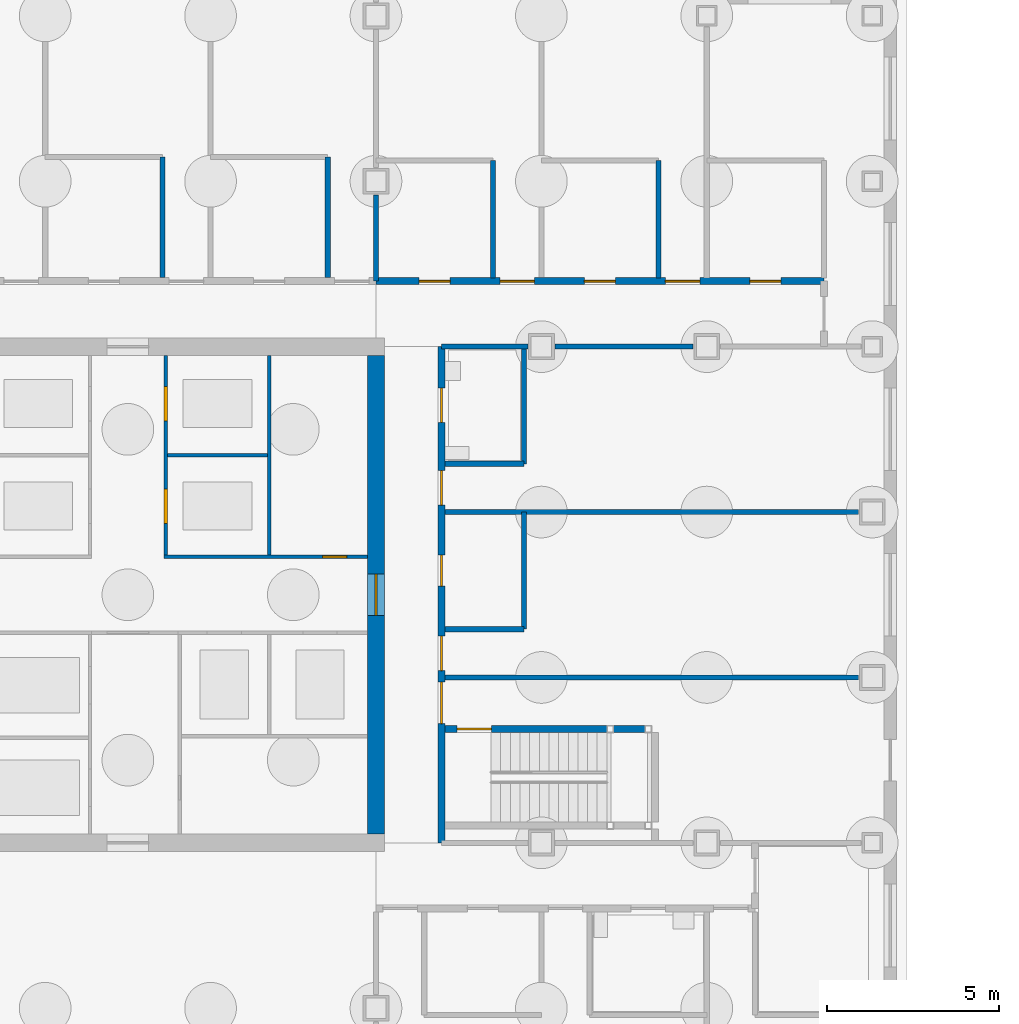
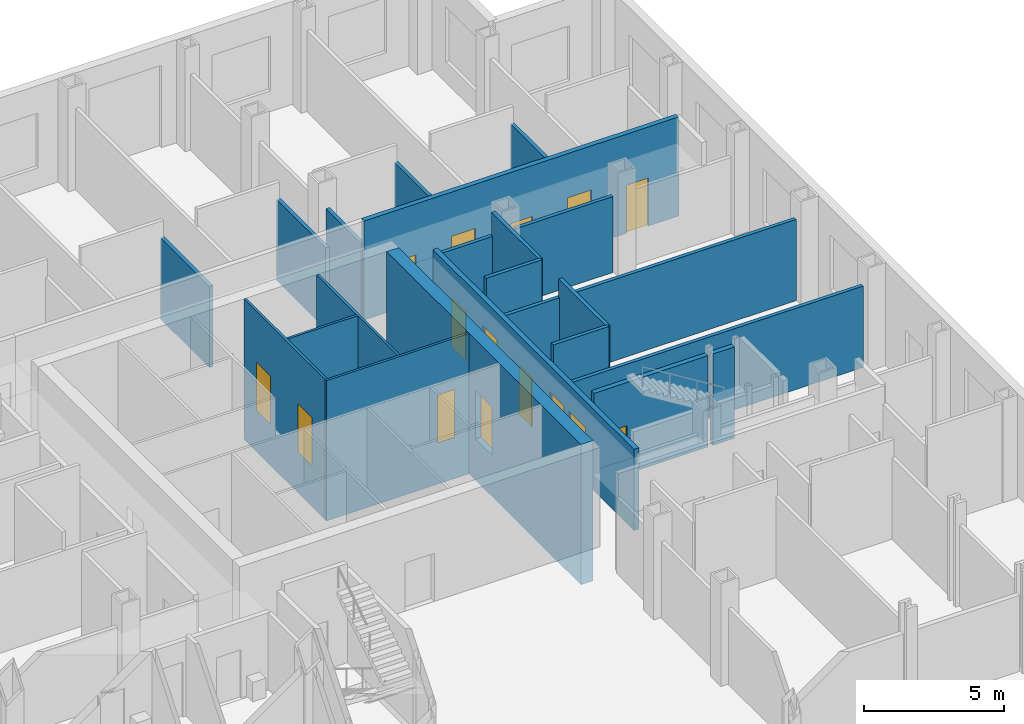
# One storey, part 17 of 22: 22 walls, 15 doors, 15 openings.
"""IFC4 building model written with IfcOpenShell, lengths in metres."""

import ifcopenshell
import ifcopenshell.guid

model = None  # the IFC model being written
_history = None  # IfcOwnerHistory: only IFC2X3 demands one
_inside = {}  # id of a spatial element -> (the spatial element, [elements in it])
_under = {}  # id of a project, library or spatial element -> (it, [spatial elements below it])
_declared = {}  # id of a project -> (the project, [libraries it declares])
_typed = {}  # id of a type object -> (the type object, [elements of that type])
_made_of = {}  # id of a material, layer set ... -> (it, [elements and type objects made of it])


def new_model(schema):
    """Start an empty IFC model of exactly this schema.

    Asked for "IFC4X3", IfcOpenShell would pick the latest addendum, in which some entities
    have other attributes; the version numbers below select the first issue.
    IFC2X3 requires an IfcOwnerHistory on every rooted entity: one is made here for all.
    """
    global model, _history
    if schema == "IFC4X3":
        model = ifcopenshell.file(schema_version=(4, 3, 0, 0))
    else:
        model = ifcopenshell.file(schema=schema)
    _inside.clear()
    _under.clear()
    _declared.clear()
    _typed.clear()
    _made_of.clear()
    _history = None
    if model.schema == "IFC2X3":
        org = make("IfcOrganization", Name="unknown")
        user = make(
            "IfcPersonAndOrganization",
            ThePerson=make("IfcPerson", FamilyName="unknown"),
            TheOrganization=org,
        )
        app = make(
            "IfcApplication",
            ApplicationDeveloper=org,
            Version="unknown",
            ApplicationFullName="unknown",
            ApplicationIdentifier="unknown",
        )
        _history = make(
            "IfcOwnerHistory",
            OwningUser=user,
            OwningApplication=app,
            ChangeAction="ADDED",
            CreationDate=0,
        )
    return model


def make(cls, **values):
    """One entity of the class cls with the attributes given. An attribute that is None is left unset."""
    return model.create_entity(
        cls, **{name: value for name, value in values.items() if value is not None}
    )


def rooted(cls, **values):
    """An entity with a GlobalId (a new one), such as an element, a storey or a relation."""
    return make(cls, GlobalId=ifcopenshell.guid.new(), OwnerHistory=_history, **values)


def si_unit(unit_type, name, prefix=None):
    """IfcSIUnit, for example si_unit("LENGTHUNIT", "METRE", prefix="MILLI")."""
    return make("IfcSIUnit", UnitType=unit_type, Prefix=prefix, Name=name)


def assignment(units):
    """IfcUnitAssignment: the units of a project."""
    return None if units is None else make("IfcUnitAssignment", Units=units)


def point(xyz):
    """IfcCartesianPoint."""
    return None if xyz is None else make("IfcCartesianPoint", Coordinates=xyz)


def direction(xyz):
    """IfcDirection."""
    return None if xyz is None else make("IfcDirection", DirectionRatios=xyz)


def frame(location, z_axis=None, x_axis=None):
    """IfcAxis2Placement3D, a coordinate frame: its origin and axes. An axis left out is left unset."""
    return make(
        "IfcAxis2Placement3D",
        Location=point(location),
        Axis=direction(z_axis),
        RefDirection=direction(x_axis),
    )


def frame_2d(location, x_axis=None):
    """IfcAxis2Placement2D, a coordinate frame in the plane: its origin and x axis."""
    return make(
        "IfcAxis2Placement2D", Location=point(location), RefDirection=direction(x_axis)
    )


def origin():
    """The frame at (0, 0, 0) with its axes left unset."""
    return frame((0.0, 0.0, 0.0))


def place(relative_to, where):
    """IfcLocalPlacement: puts the frame where relative to a parent placement (None: the world)."""
    return make(
        "IfcLocalPlacement", PlacementRelTo=relative_to, RelativePlacement=where
    )


def context(
    kind, dimensions, precision=None, world=None, true_north=None, identifier=None
):
    """IfcGeometricRepresentationContext, for example the 3D "Model" context."""
    return make(
        "IfcGeometricRepresentationContext",
        ContextIdentifier=identifier,
        ContextType=kind,
        CoordinateSpaceDimension=dimensions,
        Precision=precision,
        WorldCoordinateSystem=world,
        TrueNorth=true_north,
    )


def subcontext(parent, identifier, kind, view, scale=None):
    """IfcGeometricRepresentationSubContext, for example "Body" below "Model"."""
    return make(
        "IfcGeometricRepresentationSubContext",
        ContextIdentifier=identifier,
        ContextType=kind,
        ParentContext=parent,
        TargetScale=scale,
        TargetView=view,
    )


def project(units=None, contexts=None):
    """IfcProject with its units and contexts."""
    return rooted(
        "IfcProject",
        Name="project",
        RepresentationContexts=contexts,
        UnitsInContext=assignment(units),
    )


def spatial(cls, under=None, at=None, **own):
    """A site, building, storey or space (cls), placed at a placement, below another one or the project."""
    s = rooted(cls, ObjectPlacement=at, **own)
    if under is not None:
        _under.setdefault(under.id(), (under, []))[1].append(s)
    return s


def profile(cls, at=None, kind="AREA", **sizes):
    """A parametric profile (cls). Its sizes go by their IFC names, for example OverallWidth=200.0."""
    return make(cls, ProfileType=kind, Position=at, **sizes)


def rectangle(**sizes):
    """IfcRectangleProfileDef."""
    return profile("IfcRectangleProfileDef", **sizes)


def extrude(swept, where, along, depth):
    """IfcExtrudedAreaSolid: the profile swept, set in the frame where, extruded along a direction by depth."""
    return make(
        "IfcExtrudedAreaSolid",
        SweptArea=swept,
        Position=where,
        ExtrudedDirection=direction(along),
        Depth=depth,
    )


def shape(context_of_items, identifier, shape_type, items):
    """IfcShapeRepresentation: the items that make up one representation, for example the "Body"."""
    return make(
        "IfcShapeRepresentation",
        ContextOfItems=context_of_items,
        RepresentationIdentifier=identifier,
        RepresentationType=shape_type,
        Items=items,
    )


def material(Name=None, Category=None):
    """IfcMaterial."""
    return make("IfcMaterial", Name=Name, Category=Category)


def layer(
    of_material, thickness, ventilated=None, Name=None, Category=None, Priority=None
):
    """IfcMaterialLayer: one layer of a wall or slab, of a material (None: an air gap)."""
    return make(
        "IfcMaterialLayer",
        Material=of_material,
        LayerThickness=thickness,
        IsVentilated=ventilated,
        Name=Name,
        Category=Category,
        Priority=Priority,
    )


def layer_set(layers, Name=None):
    """IfcMaterialLayerSet."""
    return make("IfcMaterialLayerSet", MaterialLayers=layers, LayerSetName=Name)


def made_of(thing, what):
    """Note that an element or type object is made of a material, layer set ...; save() writes the relation."""
    if what is not None:
        _made_of.setdefault(what.id(), (what, []))[1].append(thing)
    return thing


def type_object(cls, material=None, **own):
    """A type object (cls), such as IfcWallType, which elements share."""
    return made_of(rooted(cls, **own), material)


def element(
    cls,
    number,
    at=None,
    inside=None,
    cuts=None,
    type_object=None,
    material=None,
    context=None,
    identifier="Body",
    shape_type=None,
    held_by="IfcProductDefinitionShape",
    body=None,
    shapes=None,
    **own,
):
    """One element of the class cls, such as IfcWall. Its Tag is "e" and its number.

    at: its placement. inside: the storey or other place that contains it. cuts: it is an
    opening in that element (IfcRelVoidsElement). A single representation is given by context,
    identifier, shape_type and body (its items); several are given by shapes. held_by: the class
    of the entity that holds the representations. save() writes the other relations.
    """
    e = rooted(cls, Tag="e%d" % number, ObjectPlacement=at, **own)
    if body is not None:
        shapes = [shape(context, identifier, shape_type, body)]
    if shapes is not None:
        e.Representation = make(held_by, Representations=shapes)
    if inside is not None:
        _inside.setdefault(inside.id(), (inside, []))[1].append(e)
    if cuts is not None:
        rooted(
            "IfcRelVoidsElement", RelatingBuildingElement=cuts, RelatedOpeningElement=e
        )
    if type_object is not None:
        _typed.setdefault(type_object.id(), (type_object, []))[1].append(e)
    return made_of(e, material)


def fill(opening, filler):
    """IfcRelFillsElement: the door or window that sits in an opening."""
    return rooted(
        "IfcRelFillsElement",
        RelatingOpeningElement=opening,
        RelatedBuildingElement=filler,
    )


def aggregate(whole, parts):
    """IfcRelAggregates: a whole, such as a stair, and the parts it consists of."""
    return rooted("IfcRelAggregates", RelatingObject=whole, RelatedObjects=parts)


def save(model, path):
    """Write the relations noted so far, then the file.

    IfcRelAggregates (storeys below a building ...), IfcRelContainedInSpatialStructure (elements
    in a storey), IfcRelDefinesByType, IfcRelAssociatesMaterial and IfcRelDeclares: one each for
    every whole, place, type object, material and project.
    """
    for whole, parts in _under.values():
        aggregate(whole, parts)
    for where, things in _inside.values():
        rooted(
            "IfcRelContainedInSpatialStructure",
            RelatedElements=things,
            RelatingStructure=where,
        )
    for kind, things in _typed.values():
        rooted("IfcRelDefinesByType", RelatedObjects=things, RelatingType=kind)
    for what, things in _made_of.values():
        rooted("IfcRelAssociatesMaterial", RelatedObjects=things, RelatingMaterial=what)
    for by, libraries in _declared.values():
        rooted("IfcRelDeclares", RelatingContext=by, RelatedDefinitions=libraries)
    model.write(path)


model = new_model("IFC4")

# Units and contexts
model_context = context("Model", 3, precision=1e-05, world=origin(), true_north=direction((0.0, 1.0)))
body_context = subcontext(model_context, "Body", "Model", "MODEL_VIEW")
ifc_project = project(units=[si_unit("LENGTHUNIT", "METRE"), si_unit("AREAUNIT", "SQUARE_METRE"), si_unit("VOLUMEUNIT", "CUBIC_METRE"), si_unit("PLANEANGLEUNIT", "RADIAN"), si_unit("MASSUNIT", "GRAM", prefix="KILO")], contexts=[model_context])

# Site, building, storey
site_placement = place(None, origin())
site = spatial("IfcSite", under=ifc_project, at=site_placement, CompositionType="ELEMENT")
building_placement = place(site_placement, origin())
building = spatial("IfcBuilding", under=site, at=building_placement, Name="Kvirike Care Tower", CompositionType="ELEMENT")
storey_placement = place(building_placement, origin())
storey = spatial("IfcBuildingStorey", under=building, at=storey_placement, Name="L00", CompositionType="ELEMENT", Elevation=0.0)

# Walls
ifc_material_1 = material(Name="Plasterboard partition", Category="gypsum")
ifc_layer_1 = layer(ifc_material_1, 0.14990234375)
ifc_layer_set_1 = layer_set([ifc_layer_1], Name="CLINIC PARTITION 150")
wall_type_1 = type_object("IfcWallType", Name="CLINIC PARTITION 150", PredefinedType="PARTITIONING", material=ifc_layer_set_1)
for number, where, z_axis, x_axis, name in (
    (1, (27.39990234375, 48.699951171875, 0.0), (0.0, 0.0, 1.0), (0.0, -1.0, 0.0), "Clinic Partition 150 L00"),
    (2, (22.60009765625, 48.699951171875, 0.0), (0.0, 0.0, 1.0), (0.0, -1.0, 0.0), "Clinic Partition 150 L00"),
):
    element("IfcWall", number, at=place(storey_placement, frame(where, z_axis=z_axis, x_axis=x_axis)), inside=storey, type_object=wall_type_1, Name=name, PredefinedType="PARTITIONING", context=body_context, shape_type="SweptSolid", body=[
        extrude(rectangle(XDim=3.5, YDim=0.14990234375, at=frame_2d((1.75, 0.0))), origin(), (0.0, 0.0, 1.0), 3.550048828125),
    ])
wall_1_placement = place(storey_placement, frame((33.10009765625, 35.0, 0.0), z_axis=(0.0, 0.0, 1.0), x_axis=(-1.0, 0.0, 0.0)))
element("IfcWall", 3, at=wall_1_placement, inside=storey, type_object=wall_type_1, Name="Clinic Partition 150 L00", PredefinedType="PARTITIONING", context=body_context, shape_type="SweptSolid", body=[
    extrude(rectangle(XDim=2.300048828125, YDim=0.14990234375, at=frame_2d((1.14990234375, 0.0))), origin(), (0.0, 0.0, 1.0), 4.330078125),
])
wall_2_placement = place(storey_placement, frame((33.10009765625, 35.0, 0.0), z_axis=(0.0, 0.0, 1.0), x_axis=(0.0, 1.0, 0.0)))
element("IfcWall", 4, at=wall_2_placement, inside=storey, type_object=wall_type_1, Name="Clinic Partition 150 L00", PredefinedType="PARTITIONING", context=body_context, shape_type="SweptSolid", body=[
    extrude(rectangle(XDim=3.39990234375, YDim=0.14990234375, at=frame_2d((1.699951171875, 0.0))), origin(), (0.0, 0.0, 1.0), 4.330078125),
])
wall_3_placement = place(storey_placement, frame((33.10009765625, 39.800048828125, 0.0), z_axis=(0.0, 0.0, 1.0), x_axis=(-1.0, 0.0, 0.0)))
element("IfcWall", 5, at=wall_3_placement, inside=storey, type_object=wall_type_1, Name="Clinic Partition 150 L00", PredefinedType="PARTITIONING", context=body_context, shape_type="SweptSolid", body=[
    extrude(rectangle(XDim=2.300048828125, YDim=0.14990234375, at=frame_2d((1.14990234375, 0.0))), origin(), (0.0, 0.0, 1.0), 4.330078125),
])
wall_4_placement = place(storey_placement, frame((33.10009765625, 39.800048828125, 0.0), z_axis=(0.0, 0.0, 1.0), x_axis=(0.0, 1.0, 0.0)))
element("IfcWall", 6, at=wall_4_placement, inside=storey, type_object=wall_type_1, Name="Clinic Partition 150 L00", PredefinedType="PARTITIONING", context=body_context, shape_type="SweptSolid", body=[
    extrude(rectangle(XDim=3.39990234375, YDim=0.14990234375, at=frame_2d((1.699951171875, 0.0))), origin(), (0.0, 0.0, 1.0), 4.330078125),
])
for number, where, z_axis, x_axis, name in (
    (7, (42.804931640625, 33.60009765625, 0.0), (0.0, 0.0, 1.0), (-1.0, 0.0, 0.0), "Clinic Partition 150 L00"),
    (8, (42.804931640625, 38.39990234375, 0.0), (0.0, 0.0, 1.0), (-1.0, 0.0, 0.0), "Clinic Partition 150 L00"),
):
    element("IfcWall", number, at=place(storey_placement, frame(where, z_axis=z_axis, x_axis=x_axis)), inside=storey, type_object=wall_type_1, Name=name, PredefinedType="PARTITIONING", context=body_context, shape_type="SweptSolid", body=[
        extrude(rectangle(XDim=12.0048828125, YDim=0.14990234375, at=frame_2d((6.00244140625, 0.0))), origin(), (0.0, 0.0, 1.0), 3.550048828125),
    ])
for number, where, z_axis, x_axis, name in (
    (9, (37.0, 48.60009765625, 0.0), (0.0, 0.0, 1.0), (0.0, -1.0, 0.0), "Clinic Partition 150 L00"),
    (10, (32.199951171875, 48.60009765625, 0.0), (0.0, 0.0, 1.0), (0.0, -1.0, 0.0), "Clinic Partition 150 L00"),
):
    element("IfcWall", number, at=place(storey_placement, frame(where, z_axis=z_axis, x_axis=x_axis)), inside=storey, type_object=wall_type_1, Name=name, PredefinedType="PARTITIONING", context=body_context, shape_type="SweptSolid", body=[
        extrude(rectangle(XDim=3.400146484375, YDim=0.14990234375, at=frame_2d((1.7001953125, 0.0))), origin(), (0.0, 0.0, 1.0), 3.550048828125),
    ])
wall_5_placement = place(storey_placement, frame((28.800048828125, 45.10009765625, 0.0), z_axis=(0.0, 0.0, 1.0), x_axis=(0.0, 1.0, 0.0)))
element("IfcWall", 11, at=wall_5_placement, inside=storey, type_object=wall_type_1, Name="Clinic Partition 150 L00", PredefinedType="PARTITIONING", context=body_context, shape_type="SweptSolid", body=[
    extrude(rectangle(XDim=2.5048828125, YDim=0.14990234375, at=frame_2d((1.25244140625, 0.0))), origin(), (0.0, 0.0, 1.0), 3.320068359375),
])
wall_6_placement = place(storey_placement, frame((38.0048828125, 43.199951171875, 0.0), z_axis=(0.0, 0.0, 1.0), x_axis=(-1.0, 0.0, 0.0)))
element("IfcWall", 12, at=wall_6_placement, inside=storey, type_object=wall_type_1, Name="Clinic Partition 150 L00", PredefinedType="PARTITIONING", context=body_context, shape_type="SweptSolid", body=[
    extrude(rectangle(XDim=4.009765625, YDim=0.14990234375, at=frame_2d((2.0048828125, 0.0))), origin(), (0.0, 0.0, 1.0), 3.320068359375),
])
wall_7_placement = place(storey_placement, frame((33.205078125, 43.199951171875, 0.0), z_axis=(0.0, 0.0, 1.0), x_axis=(-1.0, 0.0, 0.0)))
element("IfcWall", 13, at=wall_7_placement, inside=storey, type_object=wall_type_1, Name="Clinic Partition 150 L00", PredefinedType="PARTITIONING", context=body_context, shape_type="SweptSolid", body=[
    extrude(rectangle(XDim=2.505126953125, YDim=0.14990234375, at=frame_2d((1.25244140625, 0.0))), origin(), (0.0, 0.0, 1.0), 3.320068359375),
])

# Wall, opening, door
ifc_material_2 = material(Name="Concrete C60/75", Category="concrete")
ifc_layer_2 = layer(ifc_material_2, 0.5)
ifc_layer_set_2 = layer_set([ifc_layer_2], Name="CORE WALL 500 C60-75")
wall_type_2 = type_object("IfcWallType", Name="CORE WALL 500 C60-75", PredefinedType="SHEAR", material=ifc_layer_set_2)
wall_8_placement = place(storey_placement, frame((28.800048828125, 29.050048828125, -1.800048828125), z_axis=(0.0, 0.0, 1.0), x_axis=(0.0, 1.0, 0.0)))
wall_8 = element("IfcWall", 14, at=wall_8_placement, inside=storey, type_object=wall_type_2, Name="Core wall E L00", PredefinedType="SHEAR", context=body_context, shape_type="SweptSolid", body=[
    extrude(rectangle(XDim=13.89990234375, YDim=0.5, at=frame_2d((6.949951171875, 0.0))), origin(), (0.0, 0.0, 1.0), 6.130126953125),
])
opening_1_placement = place(wall_8_placement, frame((6.35009765625, 0.0, 1.800048828125)))
opening_1 = element("IfcOpeningElement", 15, at=opening_1_placement, cuts=wall_8, Name="Opening 00-062", PredefinedType="OPENING", context=body_context, shape_type="SweptSolid", body=[
    extrude(rectangle(XDim=1.199951171875, YDim=2.10009765625, at=frame_2d((0.60009765625, 1.050048828125))), frame((0.0, 0.260498046875, 0.0), z_axis=(0.0, -1.0, 0.0), x_axis=(1.0, 0.0, 0.0)), (0.0, 0.0, 1.0), 0.52099609375),
])
ifc_material_3 = material(Name="Timber door set", Category="wood")
door_type_1 = type_object("IfcDoorType", Name="CORE DOOR 1200", OperationType="SINGLE_SWING_LEFT", PredefinedType="DOOR", material=ifc_material_3)
door_1_placement = place(opening_1_placement, origin())
door_1 = element("IfcDoor", 16, at=door_1_placement, inside=storey, type_object=door_type_1, Name="Core door E L00", OperationType="SINGLE_SWING_LEFT", OverallHeight=2.10009765625, OverallWidth=1.199951171875, PredefinedType="DOOR", context=body_context, shape_type="SweptSolid", body=[
    extrude(rectangle(XDim=1.199951171875, YDim=2.10009765625, at=frame_2d((0.60009765625, 1.050048828125))), frame((0.0, 0.02685546875, 0.0), z_axis=(0.0, -1.0, 0.0), x_axis=(1.0, 0.0, 0.0)), (0.0, 0.0, 1.0), 0.053955078125),
])
fill(opening_1, door_1)

# Wall, openings, doors
ifc_material_4 = material(Name="Plasterboard corridor wall", Category="gypsum")
ifc_layer_3 = layer(ifc_material_4, 0.199951171875)
ifc_layer_set_3 = layer_set([ifc_layer_3], Name="CORRIDOR WALL 200")
wall_type_3 = type_object("IfcWallType", Name="CORRIDOR WALL 200", PredefinedType="PARTITIONING", material=ifc_layer_set_3)
wall_9_placement = place(storey_placement, frame((30.699951171875, 28.800048828125, 0.0), z_axis=(0.0, 0.0, 1.0), x_axis=(0.0, 1.0, 0.0)))
wall_9 = element("IfcWall", 17, at=wall_9_placement, inside=storey, type_object=wall_type_3, Name="Corridor Wall 200 L00", PredefinedType="PARTITIONING", context=body_context, shape_type="SweptSolid", body=[
    extrude(rectangle(XDim=14.39990234375, YDim=0.199951171875, at=frame_2d((7.199951171875, 0.0))), origin(), (0.0, 0.0, 1.0), 3.550048828125),
])
opening_2_placement = place(wall_9_placement, frame((3.46240234375, 0.0, 0.0)))
opening_2 = element("IfcOpeningElement", 18, at=opening_2_placement, cuts=wall_9, Name="Opening 00-031", PredefinedType="OPENING", context=body_context, shape_type="SweptSolid", body=[
    extrude(rectangle(XDim=1.199951171875, YDim=2.39990234375, at=frame_2d((0.60009765625, 1.199951171875))), frame((0.0, 0.110595703125, 0.0), z_axis=(0.0, -1.0, 0.0), x_axis=(1.0, 0.0, 0.0)), (0.0, 0.0, 1.0), 0.220947265625),
])
opening_3_placement = place(wall_9_placement, frame((5.0, 0.0, 0.0)))
opening_3 = element("IfcOpeningElement", 19, at=opening_3_placement, cuts=wall_9, Name="Opening 00-032", PredefinedType="OPENING", context=body_context, shape_type="SweptSolid", body=[
    extrude(rectangle(XDim=1.0, YDim=2.39990234375, at=frame_2d((0.5, 1.199951171875))), frame((0.0, 0.110595703125, 0.0), z_axis=(0.0, -1.0, 0.0), x_axis=(1.0, 0.0, 0.0)), (0.0, 0.0, 1.0), 0.220947265625),
])
opening_4_placement = place(wall_9_placement, frame((9.800048828125, 0.0, 0.0)))
opening_4 = element("IfcOpeningElement", 20, at=opening_4_placement, cuts=wall_9, Name="Opening 00-033", PredefinedType="OPENING", context=body_context, shape_type="SweptSolid", body=[
    extrude(rectangle(XDim=1.0, YDim=2.39990234375, at=frame_2d((0.5, 1.199951171875))), frame((0.0, 0.110595703125, 0.0), z_axis=(0.0, -1.0, 0.0), x_axis=(1.0, 0.0, 0.0)), (0.0, 0.0, 1.0), 0.220947265625),
])
opening_5_placement = place(wall_9_placement, frame((7.449951171875, 0.0, 0.0)))
opening_5 = element("IfcOpeningElement", 21, at=opening_5_placement, cuts=wall_9, Name="Opening 00-034", PredefinedType="OPENING", context=body_context, shape_type="SweptSolid", body=[
    extrude(rectangle(XDim=0.89990234375, YDim=2.10009765625, at=frame_2d((0.449951171875, 1.050048828125))), frame((0.0, 0.110595703125, 0.0), z_axis=(0.0, -1.0, 0.0), x_axis=(1.0, 0.0, 0.0)), (0.0, 0.0, 1.0), 0.220947265625),
])
opening_6_placement = place(wall_9_placement, frame((12.199951171875, 0.0, 0.0)))
opening_6 = element("IfcOpeningElement", 22, at=opening_6_placement, cuts=wall_9, Name="Opening 00-035", PredefinedType="OPENING", context=body_context, shape_type="SweptSolid", body=[
    extrude(rectangle(XDim=1.0, YDim=2.10009765625, at=frame_2d((0.5, 1.050048828125))), frame((0.0, 0.110595703125, 0.0), z_axis=(0.0, -1.0, 0.0), x_axis=(1.0, 0.0, 0.0)), (0.0, 0.0, 1.0), 0.220947265625),
])
ifc_material_5 = material(Name="Timber door set", Category="wood")
door_type_2 = type_object("IfcDoorType", Name="CONSULTING ROOM DOOR 1000", OperationType="SINGLE_SWING_LEFT", PredefinedType="DOOR", material=ifc_material_5)
door_2_placement = place(opening_3_placement, frame((1.0, 0.0, 0.0), z_axis=(0.0, 0.0, 1.0), x_axis=(-1.0, 0.0, 0.0)))
door_2 = element("IfcDoor", 23, at=door_2_placement, inside=storey, type_object=door_type_2, Name="Staff office door", OperationType="SINGLE_SWING_LEFT", OverallHeight=2.39990234375, OverallWidth=1.0, PredefinedType="DOOR", context=body_context, shape_type="SweptSolid", body=[
    extrude(rectangle(XDim=1.0, YDim=2.39990234375, at=frame_2d((0.5, 1.199951171875))), frame((0.0, 0.02685546875, 0.0), z_axis=(0.0, -1.0, 0.0), x_axis=(1.0, 0.0, 0.0)), (0.0, 0.0, 1.0), 0.053955078125),
])
fill(opening_3, door_2)
door_3_placement = place(opening_4_placement, frame((1.0, 0.0, 0.0), z_axis=(0.0, 0.0, 1.0), x_axis=(-1.0, 0.0, 0.0)))
door_3 = element("IfcDoor", 24, at=door_3_placement, inside=storey, type_object=door_type_2, Name="Staff office door", OperationType="SINGLE_SWING_LEFT", OverallHeight=2.39990234375, OverallWidth=1.0, PredefinedType="DOOR", context=body_context, shape_type="SweptSolid", body=[
    extrude(rectangle(XDim=1.0, YDim=2.39990234375, at=frame_2d((0.5, 1.199951171875))), frame((0.0, 0.02685546875, 0.0), z_axis=(0.0, -1.0, 0.0), x_axis=(1.0, 0.0, 0.0)), (0.0, 0.0, 1.0), 0.053955078125),
])
fill(opening_4, door_3)
ifc_material_6 = material(Name="Timber door set", Category="wood")
door_type_3 = type_object("IfcDoorType", Name="EXIT DOOR 1200", OperationType="SINGLE_SWING_LEFT", PredefinedType="DOOR", material=ifc_material_6)
door_4_placement = place(opening_2_placement, origin())
door_4 = element("IfcDoor", 25, at=door_4_placement, inside=storey, type_object=door_type_3, Name="Exit passage door", OperationType="SINGLE_SWING_RIGHT", OverallHeight=2.39990234375, OverallWidth=1.199951171875, PredefinedType="DOOR", context=body_context, shape_type="SweptSolid", body=[
    extrude(rectangle(XDim=1.199951171875, YDim=2.39990234375, at=frame_2d((0.60009765625, 1.199951171875))), frame((0.0, 0.02685546875, 0.0), z_axis=(0.0, -1.0, 0.0), x_axis=(1.0, 0.0, 0.0)), (0.0, 0.0, 1.0), 0.053955078125),
])
fill(opening_2, door_4)
ifc_material_7 = material(Name="Timber door set", Category="wood")
door_type_4 = type_object("IfcDoorType", Name="STORE DOOR 900", OperationType="SINGLE_SWING_LEFT", PredefinedType="DOOR", material=ifc_material_7)
door_5_placement = place(opening_5_placement, frame((0.89990234375, 0.0, 0.0), z_axis=(0.0, 0.0, 1.0), x_axis=(-1.0, 0.0, 0.0)))
door_5 = element("IfcDoor", 26, at=door_5_placement, inside=storey, type_object=door_type_4, Name="Store door", OperationType="SINGLE_SWING_LEFT", OverallHeight=2.10009765625, OverallWidth=0.89990234375, PredefinedType="DOOR", context=body_context, shape_type="SweptSolid", body=[
    extrude(rectangle(XDim=0.89990234375, YDim=2.10009765625, at=frame_2d((0.449951171875, 1.050048828125))), frame((0.0, 0.02685546875, 0.0), z_axis=(0.0, -1.0, 0.0), x_axis=(1.0, 0.0, 0.0)), (0.0, 0.0, 1.0), 0.053955078125),
])
fill(opening_5, door_5)
ifc_material_8 = material(Name="Timber door set", Category="wood")
door_type_5 = type_object("IfcDoorType", Name="WC DOOR 1000", OperationType="SINGLE_SWING_LEFT", PredefinedType="DOOR", material=ifc_material_8)
door_6_placement = place(opening_6_placement, frame((1.0, 0.0, 0.0), z_axis=(0.0, 0.0, 1.0), x_axis=(-1.0, 0.0, 0.0)))
door_6 = element("IfcDoor", 27, at=door_6_placement, inside=storey, type_object=door_type_5, Name="Staff WC door", OperationType="SINGLE_SWING_RIGHT", OverallHeight=2.10009765625, OverallWidth=1.0, PredefinedType="DOOR", context=body_context, shape_type="SweptSolid", body=[
    extrude(rectangle(XDim=1.0, YDim=2.10009765625, at=frame_2d((0.5, 1.050048828125))), frame((0.0, 0.02685546875, 0.0), z_axis=(0.0, -1.0, 0.0), x_axis=(1.0, 0.0, 0.0)), (0.0, 0.0, 1.0), 0.053955078125),
])
fill(opening_6, door_6)

wall_10_placement = place(storey_placement, frame((41.800048828125, 45.10009765625, 0.0), z_axis=(0.0, 0.0, 1.0), x_axis=(-1.0, 0.0, 0.0)))
wall_10 = element("IfcWall", 28, at=wall_10_placement, inside=storey, type_object=wall_type_3, Name="Corridor Wall 200 L00", PredefinedType="PARTITIONING", context=body_context, shape_type="SweptSolid", body=[
    extrude(rectangle(XDim=13.0, YDim=0.199951171875, at=frame_2d((6.5, 0.0))), origin(), (0.0, 0.0, 1.0), 4.330078125),
])
opening_7_placement = place(wall_10_placement, frame((3.60009765625, 0.0, 0.0)))
opening_7 = element("IfcOpeningElement", 29, at=opening_7_placement, cuts=wall_10, Name="Opening 00-036", PredefinedType="OPENING", context=body_context, shape_type="SweptSolid", body=[
    extrude(rectangle(XDim=1.0, YDim=2.39990234375, at=frame_2d((0.5, 1.199951171875))), frame((0.0, 0.110595703125, 0.0), z_axis=(0.0, -1.0, 0.0), x_axis=(1.0, 0.0, 0.0)), (0.0, 0.0, 1.0), 0.220947265625),
])
opening_8_placement = place(wall_10_placement, frame((8.39990234375, 0.0, 0.0)))
opening_8 = element("IfcOpeningElement", 30, at=opening_8_placement, cuts=wall_10, Name="Opening 00-037", PredefinedType="OPENING", context=body_context, shape_type="SweptSolid", body=[
    extrude(rectangle(XDim=1.0, YDim=2.39990234375, at=frame_2d((0.5, 1.199951171875))), frame((0.0, 0.110595703125, 0.0), z_axis=(0.0, -1.0, 0.0), x_axis=(1.0, 0.0, 0.0)), (0.0, 0.0, 1.0), 0.220947265625),
])
opening_9_placement = place(wall_10_placement, frame((1.25, 0.0, 0.0)))
opening_9 = element("IfcOpeningElement", 31, at=opening_9_placement, cuts=wall_10, Name="Opening 00-038", PredefinedType="OPENING", context=body_context, shape_type="SweptSolid", body=[
    extrude(rectangle(XDim=0.89990234375, YDim=2.10009765625, at=frame_2d((0.449951171875, 1.050048828125))), frame((0.0, 0.110595703125, 0.0), z_axis=(0.0, -1.0, 0.0), x_axis=(1.0, 0.0, 0.0)), (0.0, 0.0, 1.0), 0.220947265625),
])
opening_10_placement = place(wall_10_placement, frame((6.050048828125, 0.0, 0.0)))
opening_10 = element("IfcOpeningElement", 32, at=opening_10_placement, cuts=wall_10, Name="Opening 00-039", PredefinedType="OPENING", context=body_context, shape_type="SweptSolid", body=[
    extrude(rectangle(XDim=0.89990234375, YDim=2.10009765625, at=frame_2d((0.449951171875, 1.050048828125))), frame((0.0, 0.110595703125, 0.0), z_axis=(0.0, -1.0, 0.0), x_axis=(1.0, 0.0, 0.0)), (0.0, 0.0, 1.0), 0.220947265625),
])
opening_11_placement = place(wall_10_placement, frame((10.85009765625, 0.0, 0.0)))
opening_11 = element("IfcOpeningElement", 33, at=opening_11_placement, cuts=wall_10, Name="Opening 00-040", PredefinedType="OPENING", context=body_context, shape_type="SweptSolid", body=[
    extrude(rectangle(XDim=0.89990234375, YDim=2.10009765625, at=frame_2d((0.449951171875, 1.050048828125))), frame((0.0, 0.110595703125, 0.0), z_axis=(0.0, -1.0, 0.0), x_axis=(1.0, 0.0, 0.0)), (0.0, 0.0, 1.0), 0.220947265625),
])
door_7_placement = place(opening_7_placement, frame((1.0, 0.0, 0.0), z_axis=(0.0, 0.0, 1.0), x_axis=(-1.0, 0.0, 0.0)))
door_7 = element("IfcDoor", 34, at=door_7_placement, inside=storey, type_object=door_type_2, Name="Electrical switch room door", OperationType="SINGLE_SWING_LEFT", OverallHeight=2.39990234375, OverallWidth=1.0, PredefinedType="DOOR", context=body_context, shape_type="SweptSolid", body=[
    extrude(rectangle(XDim=1.0, YDim=2.39990234375, at=frame_2d((0.5, 1.199951171875))), frame((0.0, 0.02685546875, 0.0), z_axis=(0.0, -1.0, 0.0), x_axis=(1.0, 0.0, 0.0)), (0.0, 0.0, 1.0), 0.053955078125),
])
fill(opening_7, door_7)
door_8_placement = place(opening_8_placement, frame((1.0, 0.0, 0.0), z_axis=(0.0, 0.0, 1.0), x_axis=(-1.0, 0.0, 0.0)))
door_8 = element("IfcDoor", 35, at=door_8_placement, inside=storey, type_object=door_type_2, Name="Sprinkler pump room door", OperationType="SINGLE_SWING_LEFT", OverallHeight=2.39990234375, OverallWidth=1.0, PredefinedType="DOOR", context=body_context, shape_type="SweptSolid", body=[
    extrude(rectangle(XDim=1.0, YDim=2.39990234375, at=frame_2d((0.5, 1.199951171875))), frame((0.0, 0.02685546875, 0.0), z_axis=(0.0, -1.0, 0.0), x_axis=(1.0, 0.0, 0.0)), (0.0, 0.0, 1.0), 0.053955078125),
])
fill(opening_8, door_8)
door_9_placement = place(opening_9_placement, frame((0.89990234375, 0.0, 0.0), z_axis=(0.0, 0.0, 1.0), x_axis=(-1.0, 0.0, 0.0)))
door_9 = element("IfcDoor", 36, at=door_9_placement, inside=storey, type_object=door_type_4, Name="Store door", OperationType="SINGLE_SWING_LEFT", OverallHeight=2.10009765625, OverallWidth=0.89990234375, PredefinedType="DOOR", context=body_context, shape_type="SweptSolid", body=[
    extrude(rectangle(XDim=0.89990234375, YDim=2.10009765625, at=frame_2d((0.449951171875, 1.050048828125))), frame((0.0, 0.02685546875, 0.0), z_axis=(0.0, -1.0, 0.0), x_axis=(1.0, 0.0, 0.0)), (0.0, 0.0, 1.0), 0.053955078125),
])
fill(opening_9, door_9)
door_10_placement = place(opening_10_placement, frame((0.89990234375, 0.0, 0.0), z_axis=(0.0, 0.0, 1.0), x_axis=(-1.0, 0.0, 0.0)))
door_10 = element("IfcDoor", 37, at=door_10_placement, inside=storey, type_object=door_type_4, Name="Store door", OperationType="SINGLE_SWING_LEFT", OverallHeight=2.10009765625, OverallWidth=0.89990234375, PredefinedType="DOOR", context=body_context, shape_type="SweptSolid", body=[
    extrude(rectangle(XDim=0.89990234375, YDim=2.10009765625, at=frame_2d((0.449951171875, 1.050048828125))), frame((0.0, 0.02685546875, 0.0), z_axis=(0.0, -1.0, 0.0), x_axis=(1.0, 0.0, 0.0)), (0.0, 0.0, 1.0), 0.053955078125),
])
fill(opening_10, door_10)
door_11_placement = place(opening_11_placement, frame((0.89990234375, 0.0, 0.0), z_axis=(0.0, 0.0, 1.0), x_axis=(-1.0, 0.0, 0.0)))
door_11 = element("IfcDoor", 38, at=door_11_placement, inside=storey, type_object=door_type_4, Name="Store door", OperationType="SINGLE_SWING_RIGHT", OverallHeight=2.10009765625, OverallWidth=0.89990234375, PredefinedType="DOOR", context=body_context, shape_type="SweptSolid", body=[
    extrude(rectangle(XDim=0.89990234375, YDim=2.10009765625, at=frame_2d((0.449951171875, 1.050048828125))), frame((0.0, 0.02685546875, 0.0), z_axis=(0.0, -1.0, 0.0), x_axis=(1.0, 0.0, 0.0)), (0.0, 0.0, 1.0), 0.053955078125),
])
fill(opening_11, door_11)

ifc_material_9 = material(Name="Gypsum shaft wall system", Category="gypsum")
ifc_layer_4 = layer(ifc_material_9, 0.10009765625)
ifc_layer_set_4 = layer_set([ifc_layer_4], Name="SHAFT WALL 100")
wall_type_4 = type_object("IfcWallType", Name="SHAFT WALL 100", PredefinedType="SOLIDWALL", material=ifc_layer_set_4)
wall_11_placement = place(storey_placement, frame((22.699951171875, 37.14990234375, -1.800048828125), z_axis=(0.0, 0.0, 1.0), x_axis=(0.0, 1.0, 0.0)))
wall_11 = element("IfcWall", 39, at=wall_11_placement, inside=storey, type_object=wall_type_4, Name="Shaft Wall 100 L00", PredefinedType="SOLIDWALL", context=body_context, shape_type="SweptSolid", body=[
    extrude(rectangle(XDim=5.800048828125, YDim=0.10009765625, at=frame_2d((2.89990234375, 0.0))), origin(), (0.0, 0.0, 1.0), 6.130126953125),
])
opening_12_placement = place(wall_11_placement, frame((0.925048828125, 0.0, 1.800048828125)))
opening_12 = element("IfcOpeningElement", 40, at=opening_12_placement, cuts=wall_11, Name="Opening 00-048", PredefinedType="OPENING", context=body_context, shape_type="SweptSolid", body=[
    extrude(rectangle(XDim=1.0, YDim=2.10009765625, at=frame_2d((0.5, 1.050048828125))), frame((0.0, 0.060546875, 0.0), z_axis=(0.0, -1.0, 0.0), x_axis=(1.0, 0.0, 0.0)), (0.0, 0.0, 1.0), 0.12109375),
])
opening_13_placement = place(wall_11_placement, frame((3.89990234375, 0.0, 1.800048828125)))
opening_13 = element("IfcOpeningElement", 41, at=opening_13_placement, cuts=wall_11, Name="Opening 00-049", PredefinedType="OPENING", context=body_context, shape_type="SweptSolid", body=[
    extrude(rectangle(XDim=1.0, YDim=2.10009765625, at=frame_2d((0.5, 1.050048828125))), frame((0.0, 0.060546875, 0.0), z_axis=(0.0, -1.0, 0.0), x_axis=(1.0, 0.0, 0.0)), (0.0, 0.0, 1.0), 0.12109375),
])
ifc_material_10 = material(Name="Aluminium door frame", Category="aluminium")
door_type_6 = type_object("IfcDoorType", Name="LIFT LANDING DOOR 1000", OperationType="SLIDING_TO_LEFT", PredefinedType="DOOR", material=ifc_material_10)
door_12_placement = place(opening_12_placement, origin())
door_12 = element("IfcDoor", 42, at=door_12_placement, inside=storey, type_object=door_type_6, Name="Lift P3 landing door", OperationType="SLIDING_TO_LEFT", OverallHeight=2.10009765625, OverallWidth=1.0, PredefinedType="DOOR", context=body_context, shape_type="SweptSolid", body=[
    extrude(rectangle(XDim=1.0, YDim=2.10009765625, at=frame_2d((0.5, 1.050048828125))), frame((0.0, 0.0498046875, 0.0), z_axis=(0.0, -1.0, 0.0), x_axis=(1.0, 0.0, 0.0)), (0.0, 0.0, 1.0), 0.099609375),
])
fill(opening_12, door_12)
door_13_placement = place(opening_13_placement, origin())
door_13 = element("IfcDoor", 43, at=door_13_placement, inside=storey, type_object=door_type_6, Name="Lift P4 landing door", OperationType="SLIDING_TO_LEFT", OverallHeight=2.10009765625, OverallWidth=1.0, PredefinedType="DOOR", context=body_context, shape_type="SweptSolid", body=[
    extrude(rectangle(XDim=1.0, YDim=2.10009765625, at=frame_2d((0.5, 1.050048828125))), frame((0.0, 0.0498046875, 0.0), z_axis=(0.0, -1.0, 0.0), x_axis=(1.0, 0.0, 0.0)), (0.0, 0.0, 1.0), 0.099609375),
])
fill(opening_13, door_13)

# Wall, opening, door
wall_12_placement = place(storey_placement, frame((22.64990234375, 37.10009765625, -1.800048828125), z_axis=(0.0, 0.0, 1.0), x_axis=(1.0, 0.0, 0.0)))
wall_12 = element("IfcWall", 44, at=wall_12_placement, inside=storey, type_object=wall_type_4, Name="Shaft Wall 100 L00", PredefinedType="SOLIDWALL", context=body_context, shape_type="SweptSolid", body=[
    extrude(rectangle(XDim=5.900146484375, YDim=0.10009765625, at=frame_2d((2.9501953125, 0.0))), origin(), (0.0, 0.0, 1.0), 6.130126953125),
])
opening_14_placement = place(wall_12_placement, frame((4.60009765625, 0.0, 1.800048828125)))
opening_14 = element("IfcOpeningElement", 45, at=opening_14_placement, cuts=wall_12, Name="Opening 00-055", PredefinedType="OPENING", context=body_context, shape_type="SweptSolid", body=[
    extrude(rectangle(XDim=0.699951171875, YDim=2.10009765625, at=frame_2d((0.35009765625, 1.050048828125))), frame((0.0, 0.060546875, 0.0), z_axis=(0.0, -1.0, 0.0), x_axis=(1.0, 0.0, 0.0)), (0.0, 0.0, 1.0), 0.12109375),
])
ifc_material_11 = material(Name="Timber door set", Category="wood")
door_type_7 = type_object("IfcDoorType", Name="RISER DOOR 700", OperationType="SINGLE_SWING_LEFT", PredefinedType="DOOR", material=ifc_material_11)
door_14_placement = place(opening_14_placement, origin())
door_14 = element("IfcDoor", 46, at=door_14_placement, inside=storey, type_object=door_type_7, Name="Riser door", OperationType="SINGLE_SWING_LEFT", OverallHeight=2.10009765625, OverallWidth=0.699951171875, PredefinedType="DOOR", context=body_context, shape_type="SweptSolid", body=[
    extrude(rectangle(XDim=0.699951171875, YDim=2.10009765625, at=frame_2d((0.35009765625, 1.050048828125))), frame((0.0, 0.02685546875, 0.0), z_axis=(0.0, -1.0, 0.0), x_axis=(1.0, 0.0, 0.0)), (0.0, 0.0, 1.0), 0.053955078125),
])
fill(opening_14, door_14)

# Walls
wall_13_placement = place(storey_placement, frame((22.75, 40.050048828125, -1.800048828125), z_axis=(0.0, 0.0, 1.0), x_axis=(1.0, 0.0, 0.0)))
element("IfcWall", 47, at=wall_13_placement, inside=storey, type_object=wall_type_4, Name="Shaft Wall 100 L00", PredefinedType="SOLIDWALL", context=body_context, shape_type="SweptSolid", body=[
    extrude(rectangle(XDim=2.89990234375, YDim=0.10009765625, at=frame_2d((1.449951171875, 0.0))), origin(), (0.0, 0.0, 1.0), 6.130126953125),
])
wall_14_placement = place(storey_placement, frame((25.699951171875, 37.14990234375, -1.800048828125), z_axis=(0.0, 0.0, 1.0), x_axis=(0.0, 1.0, 0.0)))
element("IfcWall", 48, at=wall_14_placement, inside=storey, type_object=wall_type_4, Name="Shaft Wall 100 L00", PredefinedType="SOLIDWALL", context=body_context, shape_type="SweptSolid", body=[
    extrude(rectangle(XDim=5.800048828125, YDim=0.10009765625, at=frame_2d((2.89990234375, 0.0))), origin(), (0.0, 0.0, 1.0), 6.130126953125),
])
ifc_material_12 = material(Name="Concrete C40/50", Category="concrete")
ifc_layer_5 = layer(ifc_material_12, 0.199951171875)
ifc_layer_set_5 = layer_set([ifc_layer_5], Name="STAIR WALL 200")
wall_type_5 = type_object("IfcWallType", Name="STAIR WALL 200", PredefinedType="SOLIDWALL", material=ifc_layer_set_5)
wall_15_placement = place(storey_placement, frame((36.60009765625, 32.10009765625, 0.0), z_axis=(0.0, 0.0, 1.0), x_axis=(-1.0, 0.0, 0.0)))
element("IfcWall", 49, at=wall_15_placement, inside=storey, type_object=wall_type_5, Name="Stair Wall 200 L00", PredefinedType="SOLIDWALL", context=body_context, shape_type="SweptSolid", body=[
    extrude(rectangle(XDim=0.900146484375, YDim=0.199951171875, at=frame_2d((0.4501953125, 0.0))), origin(), (0.0, 0.0, 1.0), 3.989990234375),
])

# Wall, opening, door
wall_16_placement = place(storey_placement, frame((35.5, 32.10009765625, 0.0), z_axis=(0.0, 0.0, 1.0), x_axis=(-1.0, 0.0, 0.0)))
wall_16 = element("IfcWall", 50, at=wall_16_placement, inside=storey, type_object=wall_type_5, Name="Stair Wall 200 L00", PredefinedType="SOLIDWALL", context=body_context, shape_type="SweptSolid", body=[
    extrude(rectangle(XDim=4.699951171875, YDim=0.199951171875, at=frame_2d((2.35009765625, 0.0))), origin(), (0.0, 0.0, 1.0), 3.989990234375),
])
opening_15_placement = place(wall_16_placement, frame((3.35009765625, 0.0, 0.0)))
opening_15 = element("IfcOpeningElement", 51, at=opening_15_placement, cuts=wall_16, Name="Opening 00-030", PredefinedType="OPENING", context=body_context, shape_type="SweptSolid", body=[
    extrude(rectangle(XDim=1.0, YDim=2.10009765625, at=frame_2d((0.5, 1.050048828125))), frame((0.0, 0.110595703125, 0.0), z_axis=(0.0, -1.0, 0.0), x_axis=(1.0, 0.0, 0.0)), (0.0, 0.0, 1.0), 0.220947265625),
])
ifc_material_13 = material(Name="Timber door set", Category="wood")
door_type_8 = type_object("IfcDoorType", Name="STAIR DOOR 1000", OperationType="SINGLE_SWING_LEFT", PredefinedType="DOOR", material=ifc_material_13)
door_15_placement = place(opening_15_placement, origin())
door_15 = element("IfcDoor", 52, at=door_15_placement, inside=storey, type_object=door_type_8, Name="Stair 2 door", OperationType="SINGLE_SWING_LEFT", OverallHeight=2.10009765625, OverallWidth=1.0, PredefinedType="DOOR", context=body_context, shape_type="SweptSolid", body=[
    extrude(rectangle(XDim=1.0, YDim=2.10009765625, at=frame_2d((0.5, 1.050048828125))), frame((0.0, 0.031982421875, 0.0), z_axis=(0.0, -1.0, 0.0), x_axis=(1.0, 0.0, 0.0)), (0.0, 0.0, 1.0), 0.06396484375),
])
fill(opening_15, door_15)

save(model, "model.ifc")
